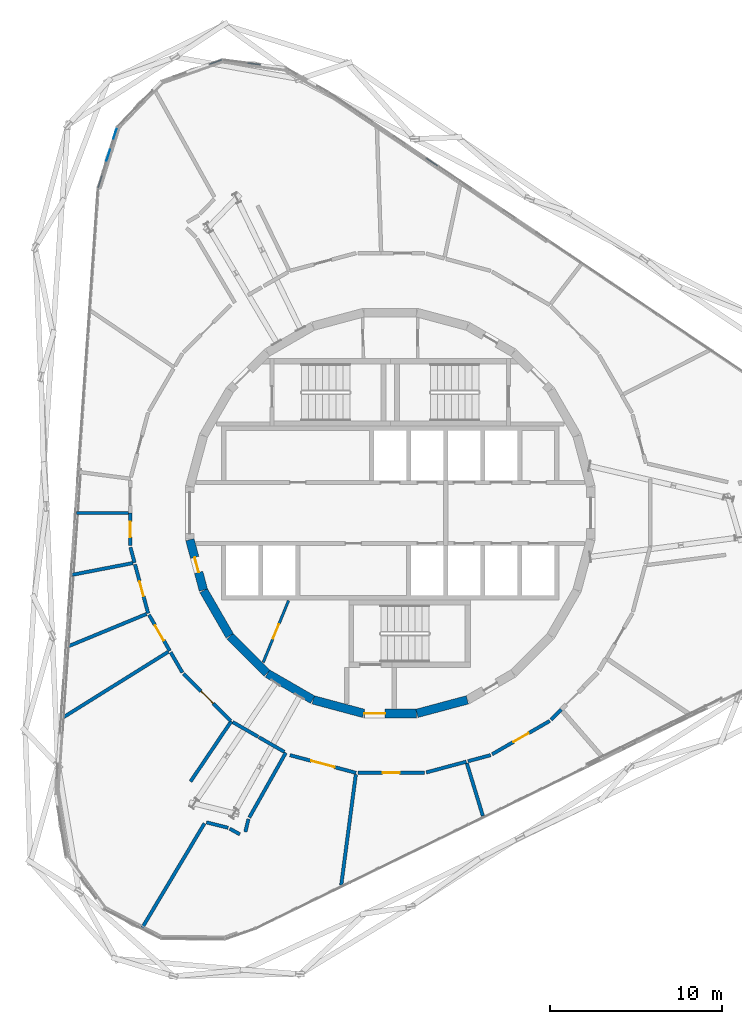
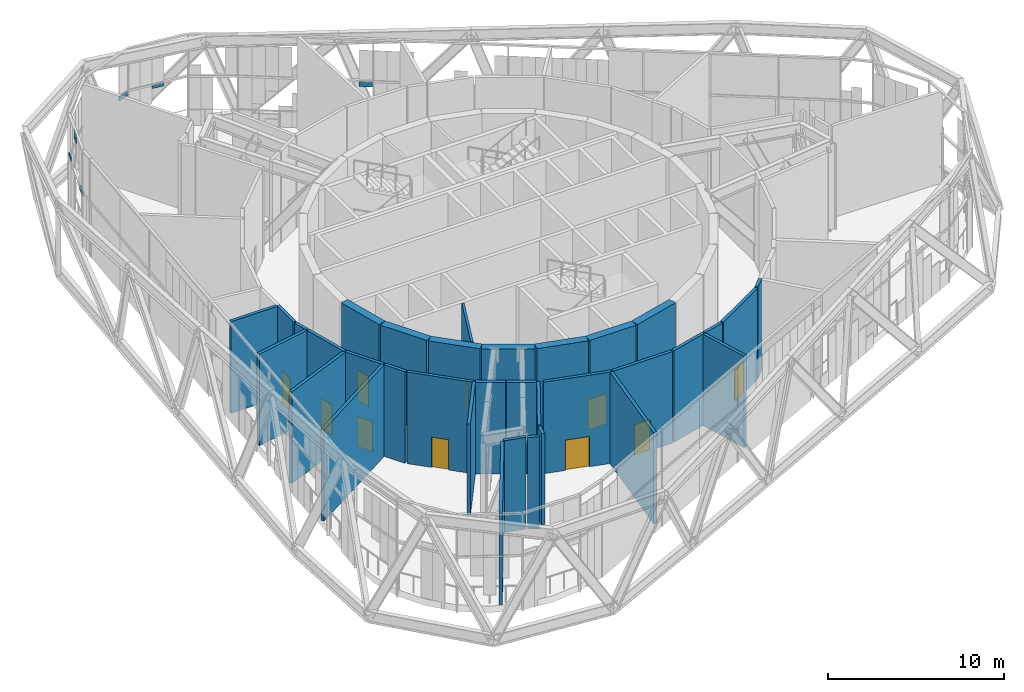
# One storey, part 18 of 24: 34 walls, 10 doors, 6 plates, 10 openings, 2 elements without a shape of their own.
"""IFC4 building model written with IfcOpenShell, lengths in metres."""

import ifcopenshell
import ifcopenshell.guid

model = None  # the IFC model being written
_history = None  # IfcOwnerHistory: only IFC2X3 demands one
_inside = {}  # id of a spatial element -> (the spatial element, [elements in it])
_under = {}  # id of a project, library or spatial element -> (it, [spatial elements below it])
_declared = {}  # id of a project -> (the project, [libraries it declares])
_typed = {}  # id of a type object -> (the type object, [elements of that type])
_made_of = {}  # id of a material, layer set ... -> (it, [elements and type objects made of it])


def new_model(schema):
    """Start an empty IFC model of exactly this schema.

    Asked for "IFC4X3", IfcOpenShell would pick the latest addendum, in which some entities
    have other attributes; the version numbers below select the first issue.
    IFC2X3 requires an IfcOwnerHistory on every rooted entity: one is made here for all.
    """
    global model, _history
    if schema == "IFC4X3":
        model = ifcopenshell.file(schema_version=(4, 3, 0, 0))
    else:
        model = ifcopenshell.file(schema=schema)
    _inside.clear()
    _under.clear()
    _declared.clear()
    _typed.clear()
    _made_of.clear()
    _history = None
    if model.schema == "IFC2X3":
        org = make("IfcOrganization", Name="unknown")
        user = make(
            "IfcPersonAndOrganization",
            ThePerson=make("IfcPerson", FamilyName="unknown"),
            TheOrganization=org,
        )
        app = make(
            "IfcApplication",
            ApplicationDeveloper=org,
            Version="unknown",
            ApplicationFullName="unknown",
            ApplicationIdentifier="unknown",
        )
        _history = make(
            "IfcOwnerHistory",
            OwningUser=user,
            OwningApplication=app,
            ChangeAction="ADDED",
            CreationDate=0,
        )
    return model


def make(cls, **values):
    """One entity of the class cls with the attributes given. An attribute that is None is left unset."""
    return model.create_entity(
        cls, **{name: value for name, value in values.items() if value is not None}
    )


def rooted(cls, **values):
    """An entity with a GlobalId (a new one), such as an element, a storey or a relation."""
    return make(cls, GlobalId=ifcopenshell.guid.new(), OwnerHistory=_history, **values)


def si_unit(unit_type, name, prefix=None):
    """IfcSIUnit, for example si_unit("LENGTHUNIT", "METRE", prefix="MILLI")."""
    return make("IfcSIUnit", UnitType=unit_type, Prefix=prefix, Name=name)


def assignment(units):
    """IfcUnitAssignment: the units of a project."""
    return None if units is None else make("IfcUnitAssignment", Units=units)


def point(xyz):
    """IfcCartesianPoint."""
    return None if xyz is None else make("IfcCartesianPoint", Coordinates=xyz)


def direction(xyz):
    """IfcDirection."""
    return None if xyz is None else make("IfcDirection", DirectionRatios=xyz)


def frame(location, z_axis=None, x_axis=None):
    """IfcAxis2Placement3D, a coordinate frame: its origin and axes. An axis left out is left unset."""
    return make(
        "IfcAxis2Placement3D",
        Location=point(location),
        Axis=direction(z_axis),
        RefDirection=direction(x_axis),
    )


def frame_2d(location, x_axis=None):
    """IfcAxis2Placement2D, a coordinate frame in the plane: its origin and x axis."""
    return make(
        "IfcAxis2Placement2D", Location=point(location), RefDirection=direction(x_axis)
    )


def origin():
    """The frame at (0, 0, 0) with its axes left unset."""
    return frame((0.0, 0.0, 0.0))


def origin_2d():
    """The frame at (0, 0) in the plane with its x axis left unset."""
    return frame_2d((0.0, 0.0))


def place(relative_to, where):
    """IfcLocalPlacement: puts the frame where relative to a parent placement (None: the world)."""
    return make(
        "IfcLocalPlacement", PlacementRelTo=relative_to, RelativePlacement=where
    )


def context(
    kind, dimensions, precision=None, world=None, true_north=None, identifier=None
):
    """IfcGeometricRepresentationContext, for example the 3D "Model" context."""
    return make(
        "IfcGeometricRepresentationContext",
        ContextIdentifier=identifier,
        ContextType=kind,
        CoordinateSpaceDimension=dimensions,
        Precision=precision,
        WorldCoordinateSystem=world,
        TrueNorth=true_north,
    )


def subcontext(parent, identifier, kind, view, scale=None):
    """IfcGeometricRepresentationSubContext, for example "Body" below "Model"."""
    return make(
        "IfcGeometricRepresentationSubContext",
        ContextIdentifier=identifier,
        ContextType=kind,
        ParentContext=parent,
        TargetScale=scale,
        TargetView=view,
    )


def project(units=None, contexts=None):
    """IfcProject with its units and contexts."""
    return rooted(
        "IfcProject",
        Name="project",
        RepresentationContexts=contexts,
        UnitsInContext=assignment(units),
    )


def spatial(cls, under=None, at=None, **own):
    """A site, building, storey or space (cls), placed at a placement, below another one or the project."""
    s = rooted(cls, ObjectPlacement=at, **own)
    if under is not None:
        _under.setdefault(under.id(), (under, []))[1].append(s)
    return s


def profile(cls, at=None, kind="AREA", **sizes):
    """A parametric profile (cls). Its sizes go by their IFC names, for example OverallWidth=200.0."""
    return make(cls, ProfileType=kind, Position=at, **sizes)


def rectangle(**sizes):
    """IfcRectangleProfileDef."""
    return profile("IfcRectangleProfileDef", **sizes)


def extrude(swept, where, along, depth):
    """IfcExtrudedAreaSolid: the profile swept, set in the frame where, extruded along a direction by depth."""
    return make(
        "IfcExtrudedAreaSolid",
        SweptArea=swept,
        Position=where,
        ExtrudedDirection=direction(along),
        Depth=depth,
    )


def shape(context_of_items, identifier, shape_type, items):
    """IfcShapeRepresentation: the items that make up one representation, for example the "Body"."""
    return make(
        "IfcShapeRepresentation",
        ContextOfItems=context_of_items,
        RepresentationIdentifier=identifier,
        RepresentationType=shape_type,
        Items=items,
    )


def material(Name=None, Category=None):
    """IfcMaterial."""
    return make("IfcMaterial", Name=Name, Category=Category)


def layer(
    of_material, thickness, ventilated=None, Name=None, Category=None, Priority=None
):
    """IfcMaterialLayer: one layer of a wall or slab, of a material (None: an air gap)."""
    return make(
        "IfcMaterialLayer",
        Material=of_material,
        LayerThickness=thickness,
        IsVentilated=ventilated,
        Name=Name,
        Category=Category,
        Priority=Priority,
    )


def layer_set(layers, Name=None):
    """IfcMaterialLayerSet."""
    return make("IfcMaterialLayerSet", MaterialLayers=layers, LayerSetName=Name)


def made_of(thing, what):
    """Note that an element or type object is made of a material, layer set ...; save() writes the relation."""
    if what is not None:
        _made_of.setdefault(what.id(), (what, []))[1].append(thing)
    return thing


def type_object(cls, material=None, **own):
    """A type object (cls), such as IfcWallType, which elements share."""
    return made_of(rooted(cls, **own), material)


def element(
    cls,
    number,
    at=None,
    inside=None,
    cuts=None,
    type_object=None,
    material=None,
    context=None,
    identifier="Body",
    shape_type=None,
    held_by="IfcProductDefinitionShape",
    body=None,
    shapes=None,
    **own,
):
    """One element of the class cls, such as IfcWall. Its Tag is "e" and its number.

    at: its placement. inside: the storey or other place that contains it. cuts: it is an
    opening in that element (IfcRelVoidsElement). A single representation is given by context,
    identifier, shape_type and body (its items); several are given by shapes. held_by: the class
    of the entity that holds the representations. save() writes the other relations.
    """
    e = rooted(cls, Tag="e%d" % number, ObjectPlacement=at, **own)
    if body is not None:
        shapes = [shape(context, identifier, shape_type, body)]
    if shapes is not None:
        e.Representation = make(held_by, Representations=shapes)
    if inside is not None:
        _inside.setdefault(inside.id(), (inside, []))[1].append(e)
    if cuts is not None:
        rooted(
            "IfcRelVoidsElement", RelatingBuildingElement=cuts, RelatedOpeningElement=e
        )
    if type_object is not None:
        _typed.setdefault(type_object.id(), (type_object, []))[1].append(e)
    return made_of(e, material)


def fill(opening, filler):
    """IfcRelFillsElement: the door or window that sits in an opening."""
    return rooted(
        "IfcRelFillsElement",
        RelatingOpeningElement=opening,
        RelatedBuildingElement=filler,
    )


def aggregate(whole, parts):
    """IfcRelAggregates: a whole, such as a stair, and the parts it consists of."""
    return rooted("IfcRelAggregates", RelatingObject=whole, RelatedObjects=parts)


def save(model, path):
    """Write the relations noted so far, then the file.

    IfcRelAggregates (storeys below a building ...), IfcRelContainedInSpatialStructure (elements
    in a storey), IfcRelDefinesByType, IfcRelAssociatesMaterial and IfcRelDeclares: one each for
    every whole, place, type object, material and project.
    """
    for whole, parts in _under.values():
        aggregate(whole, parts)
    for where, things in _inside.values():
        rooted(
            "IfcRelContainedInSpatialStructure",
            RelatedElements=things,
            RelatingStructure=where,
        )
    for kind, things in _typed.values():
        rooted("IfcRelDefinesByType", RelatedObjects=things, RelatingType=kind)
    for what, things in _made_of.values():
        rooted("IfcRelAssociatesMaterial", RelatedObjects=things, RelatingMaterial=what)
    for by, libraries in _declared.values():
        rooted("IfcRelDeclares", RelatingContext=by, RelatedDefinitions=libraries)
    model.write(path)


model = new_model("IFC4")

# Units and contexts
model_context = context("Model", 3, precision=1e-05, world=origin(), true_north=direction((0.0, 1.0)))
body_context = subcontext(model_context, "Body", "Model", "MODEL_VIEW")
ifc_project = project(units=[si_unit("LENGTHUNIT", "METRE"), si_unit("AREAUNIT", "SQUARE_METRE"), si_unit("VOLUMEUNIT", "CUBIC_METRE"), si_unit("PLANEANGLEUNIT", "RADIAN"), si_unit("MASSUNIT", "GRAM", prefix="KILO")], contexts=[model_context])

# Site, building, storey
site_placement = place(None, origin())
site = spatial("IfcSite", under=ifc_project, at=site_placement, CompositionType="ELEMENT")
building_placement = place(site_placement, origin())
building = spatial("IfcBuilding", under=site, at=building_placement, Name="Spindle Arch Residences", CompositionType="ELEMENT")
storey_placement = place(building_placement, frame((0.0, 0.0, 219.89990234375)))
storey = spatial("IfcBuildingStorey", under=building, at=storey_placement, Name="L56", CompositionType="ELEMENT", Elevation=219.89990234375)

# Curtain wall, plates
ifc_material_1 = material(Name="Aluminium bronze unitised frame with tinted glass", Category="aluminium")
ifc_layer_1 = layer(ifc_material_1, 0.159912109375)
ifc_layer_set_1 = layer_set([ifc_layer_1], Name="CW-E double-height winter garden wall")
curtain_wall_type = type_object("IfcCurtainWallType", Name="CW-E double-height winter garden wall", PredefinedType="NOTDEFINED", material=ifc_layer_set_1)
curtain_wall_1_placement = place(storey_placement, origin())
curtain_wall_1 = element("IfcCurtainWall", 1, at=curtain_wall_1_placement, inside=storey, type_object=curtain_wall_type, Name="CW-E L56 run 3", PredefinedType="NOTDEFINED")
ifc_material_2 = material(Name="Tinted laminated glass 28 mm", Category="glass")
ifc_layer_2 = layer(ifc_material_2, 0.028076171875)
ifc_layer_set_2 = layer_set([ifc_layer_2], Name="Tinted glass panel 28 mm")
plate_type_1 = type_object("IfcPlateType", Name="Tinted glass panel 28 mm", PredefinedType="CURTAIN_PANEL", material=ifc_layer_set_2)
plate_1_placement = place(storey_placement, frame((-15.9853515625, 22.071044921875, 3.4599609375), z_axis=(0.0, 0.0, 1.0), x_axis=(-0.297930275218, -0.954587634064, 0.0)))
plate_1 = element("IfcPlate", 2, at=plate_1_placement, type_object=plate_type_1, Name="CW-E panel 04b.1", PredefinedType="CURTAIN_PANEL", context=body_context, shape_type="SweptSolid", body=[
    extrude(rectangle(XDim=0.675048828125, YDim=0.028076171875, at=origin_2d()), origin(), (0.0, 0.0, 1.0), 0.15771484375),
])
plate_2_placement = place(storey_placement, frame((-16.3876953125, 20.7822265625, 5.547119140625), z_axis=(0.0, 0.0, 1.0), x_axis=(-0.297930275218, -0.954587634064, 0.0)))
plate_2 = element("IfcPlate", 3, at=plate_2_placement, type_object=plate_type_1, Name="CW-E panel 04b.3", PredefinedType="CURTAIN_PANEL", context=body_context, shape_type="SweptSolid", body=[
    extrude(rectangle(XDim=0.675048828125, YDim=0.028076171875, at=origin_2d()), origin(), (0.0, 0.0, 1.0), 0.68310546875),
])

# Curtain wall, plate
curtain_wall_2_placement = place(storey_placement, origin())
curtain_wall_2 = element("IfcCurtainWall", 4, at=curtain_wall_2_placement, inside=storey, type_object=curtain_wall_type, Name="CW-E L56 run 2", PredefinedType="NOTDEFINED")
ifc_material_3 = material(Name="Tinted double glazing over aluminium faced non-combustible spandrel zone (K0)", Category="aluminium")
ifc_layer_3 = layer(ifc_material_3, 0.06005859375)
ifc_layer_set_3 = layer_set([ifc_layer_3], Name="Unitised glass panel with E 60 spandrel zone")
plate_type_2 = type_object("IfcPlateType", Name="Unitised glass panel with E 60 spandrel zone", PredefinedType="CURTAIN_PANEL", material=ifc_layer_set_3)
plate_3_placement = place(storey_placement, frame((2.428466796875, 20.388427734375, 2.99267578125), z_axis=(0.0, 0.0, 1.0), x_axis=(-0.829037572555, 0.559192903471, 0.0)))
plate_3 = element("IfcPlate", 5, at=plate_3_placement, type_object=plate_type_2, Name="CW-E panel 08Aa.1", PredefinedType="CURTAIN_PANEL", context=body_context, shape_type="SweptSolid", body=[
    extrude(rectangle(XDim=0.763427734375, YDim=0.06005859375, at=origin_2d()), origin(), (0.0, 0.0, 1.0), 0.347412109375),
])
aggregate(curtain_wall_2, [plate_3])

# Plate
plate_4_placement = place(storey_placement, frame((-7.92236328125, 26.0986328125, 3.1201171875), z_axis=(0.0, 0.0, 1.0), x_axis=(-0.991820351023, 0.127641651888, 0.0)))
plate_4 = element("IfcPlate", 6, at=plate_4_placement, type_object=plate_type_2, Name="CW-E panel 01a.1", PredefinedType="CURTAIN_PANEL", context=body_context, shape_type="SweptSolid", body=[
    extrude(rectangle(XDim=0.7333984375, YDim=0.06005859375, at=origin_2d()), origin(), (0.0, 0.0, 1.0), 0.219970703125),
])

plate_5_placement = place(storey_placement, frame((-10.144775390625, 26.205322265625, 3.05322265625), z_axis=(0.0, 0.0, 1.0), x_axis=(-0.943608508302, -0.331063412445, 0.0)))
plate_5 = element("IfcPlate", 7, at=plate_5_placement, type_object=plate_type_2, Name="CW-E panel 02a.1", PredefinedType="CURTAIN_PANEL", context=body_context, shape_type="SweptSolid", body=[
    extrude(rectangle(XDim=0.7333984375, YDim=0.06005859375, at=origin_2d()), origin(), (0.0, 0.0, 1.0), 0.286865234375),
])

plate_6_placement = place(storey_placement, frame((-16.867919921875, 19.2431640625, 3.10009765625), z_axis=(0.0, 0.0, 1.0), x_axis=(-0.297930275218, -0.954587634064, 0.0)))
plate_6 = element("IfcPlate", 8, at=plate_6_placement, type_object=plate_type_2, Name="CW-E panel 04a.3", PredefinedType="CURTAIN_PANEL", context=body_context, shape_type="SweptSolid", body=[
    extrude(rectangle(XDim=0.7333984375, YDim=0.06005859375, at=origin_2d()), origin(), (0.0, 0.0, 1.0), 0.239990234375),
])

aggregate(curtain_wall_1, [plate_4, plate_5, plate_6, plate_1, plate_2])

# Wall
ifc_material_4 = material(Name="Concrete C50/60", Category="concrete")
ifc_layer_4 = layer(ifc_material_4, 0.5)
ifc_layer_set_4 = layer_set([ifc_layer_4], Name="Core outline wall 500")
wall_type_1 = type_object("IfcWallType", Name="Core outline wall 500", PredefinedType="SHEAR", material=ifc_layer_set_4)
wall_1_placement = place(storey_placement, frame((1.5498046875, -11.642822265625, 0.0), z_axis=(0.0, 0.0, 1.0), x_axis=(0.965948410781, 0.258734743916, 0.0)))
element("IfcWall", 9, at=wall_1_placement, inside=storey, type_object=wall_type_1, Name="Core outline wall 1", PredefinedType="SHEAR", context=body_context, shape_type="SweptSolid", body=[
    extrude(rectangle(XDim=3.03271484375, YDim=0.5, at=frame_2d((1.516357421875, 0.0))), origin(), (0.0, 0.0, 1.0), 6.35009765625),
])

# Wall, opening, door
wall_2_placement = place(storey_placement, frame((-11.642822265625, -1.5498046875, 0.0), z_axis=(0.0, 0.0, 1.0), x_axis=(0.258734743916, -0.965948410781, 0.0)))
wall_2 = element("IfcWall", 10, at=wall_2_placement, inside=storey, type_object=wall_type_1, Name="Core outline wall 19", PredefinedType="SHEAR", context=body_context, shape_type="SweptSolid", body=[
    extrude(rectangle(XDim=3.03271484375, YDim=0.5, at=frame_2d((1.516357421875, 0.0))), origin(), (0.0, 0.0, 1.0), 6.35009765625),
])
opening_1_placement = place(wall_2_placement, frame((1.06640625, 0.0, 0.0)))
opening_1 = element("IfcOpeningElement", 11, at=opening_1_placement, cuts=wall_2, Name="Opening L56-WD08", PredefinedType="OPENING", context=body_context, shape_type="SweptSolid", body=[
    extrude(rectangle(XDim=0.89990234375, YDim=2.10009765625, at=frame_2d((0.449951171875, 1.050048828125))), frame((0.0, 0.260009765625, 0.0), z_axis=(0.0, -1.0, 0.0), x_axis=(1.0, 0.0, 0.0)), (0.0, 0.0, 1.0), 0.52001953125),
])
ifc_material_5 = material(Name="Steel, fire-resisting door", Category="steel")
door_type_1 = type_object("IfcDoorType", Name="Service room door 900x2100", OperationType="SINGLE_SWING_LEFT", PredefinedType="DOOR", material=ifc_material_5)
door_1_placement = place(opening_1_placement, origin())
door_1 = element("IfcDoor", 12, at=door_1_placement, inside=storey, type_object=door_type_1, Name="Service room door L56-WD08", OperationType="SINGLE_SWING_RIGHT", OverallHeight=2.10009765625, OverallWidth=0.89990234375, PredefinedType="DOOR", context=body_context, shape_type="SweptSolid", body=[
    extrude(rectangle(XDim=0.89990234375, YDim=2.10009765625, at=frame_2d((0.449951171875, 1.050048828125))), frame((0.0, 0.02490234375, 0.0), z_axis=(0.0, -1.0, 0.0), x_axis=(1.0, 0.0, 0.0)), (0.0, 0.0, 1.0), 0.050048828125),
])
fill(opening_1, door_1)

# Walls
wall_3_placement = place(storey_placement, frame((-10.84521484375, -4.510498046875, 0.0), z_axis=(0.0, 0.0, 1.0), x_axis=(0.500087131594, -0.865975092491, 0.0)))
element("IfcWall", 13, at=wall_3_placement, inside=storey, type_object=wall_type_1, Name="Core outline wall 20", PredefinedType="SHEAR", context=body_context, shape_type="SweptSolid", body=[
    extrude(rectangle(XDim=3.03271484375, YDim=0.5, at=frame_2d((1.516357421875, 0.0))), origin(), (0.0, 0.0, 1.0), 6.35009765625),
])
wall_4_placement = place(storey_placement, frame((-9.30810546875, -7.163818359375, 0.0), z_axis=(0.0, 0.0, 1.0), x_axis=(0.707106781187, -0.707106781187, 0.0)))
element("IfcWall", 14, at=wall_4_placement, inside=storey, type_object=wall_type_1, Name="Core outline wall 21", PredefinedType="SHEAR", context=body_context, shape_type="SweptSolid", body=[
    extrude(rectangle(XDim=3.032470703125, YDim=0.5, at=frame_2d((1.51611328125, 0.0))), origin(), (0.0, 0.0, 1.0), 6.35009765625),
])
for number, where, z_axis, x_axis, name in (
    (15, (-7.13671875, -9.32861328125, 0.0), (0.0, 0.0, 1.0), (0.865975092491, -0.500087131594, 0.0), "Core outline wall 22"),
    (16, (-4.479248046875, -10.858154296875, 0.0), (0.0, 0.0, 1.0), (0.965948410781, -0.258734743916, 0.0), "Core outline wall 23"),
):
    element("IfcWall", number, at=place(storey_placement, frame(where, z_axis=z_axis, x_axis=x_axis)), inside=storey, type_object=wall_type_1, Name=name, PredefinedType="SHEAR", context=body_context, shape_type="SweptSolid", body=[
        extrude(rectangle(XDim=3.03271484375, YDim=0.5, at=frame_2d((1.516357421875, 0.0))), origin(), (0.0, 0.0, 1.0), 6.35009765625),
    ])

# Wall, opening, door
wall_5_placement = place(storey_placement, frame((-1.516357421875, -11.647216796875, 0.0), z_axis=(0.0, 0.0, 1.0), x_axis=(1.0, 0.0, 0.0)))
wall_5 = element("IfcWall", 17, at=wall_5_placement, inside=storey, type_object=wall_type_1, Name="Core outline wall 24", PredefinedType="SHEAR", context=body_context, shape_type="SweptSolid", body=[
    extrude(rectangle(XDim=3.03271484375, YDim=0.5, at=frame_2d((1.516357421875, 0.0))), origin(), (0.0, 0.0, 1.0), 6.35009765625),
])
opening_2_placement = place(wall_5_placement, frame((0.016357421875, 0.0, 0.0)))
opening_2 = element("IfcOpeningElement", 18, at=opening_2_placement, cuts=wall_5, Name="Opening L56-AD03", PredefinedType="OPENING", context=body_context, shape_type="SweptSolid", body=[
    extrude(rectangle(XDim=1.199951171875, YDim=2.10009765625, at=frame_2d((0.60009765625, 1.050048828125))), frame((0.0, 0.260009765625, 0.0), z_axis=(0.0, -1.0, 0.0), x_axis=(1.0, 0.0, 0.0)), (0.0, 0.0, 1.0), 0.52001953125),
])
ifc_material_6 = material(Name="Steel, fire-resisting door", Category="steel")
door_type_2 = type_object("IfcDoorType", Name="Stair airlock door 1200x2100", OperationType="SINGLE_SWING_LEFT", PredefinedType="DOOR", material=ifc_material_6)
door_2_placement = place(opening_2_placement, origin())
door_2 = element("IfcDoor", 19, at=door_2_placement, inside=storey, type_object=door_type_2, Name="Stair airlock door L56-AD03", OperationType="SINGLE_SWING_RIGHT", OverallHeight=2.10009765625, OverallWidth=1.199951171875, PredefinedType="DOOR", context=body_context, shape_type="SweptSolid", body=[
    extrude(rectangle(XDim=1.199951171875, YDim=2.10009765625, at=frame_2d((0.60009765625, 1.050048828125))), frame((0.0, 0.02490234375, 0.0), z_axis=(0.0, -1.0, 0.0), x_axis=(1.0, 0.0, 0.0)), (0.0, 0.0, 1.0), 0.050048828125),
])
fill(opening_2, door_2)

# Walls
ifc_material_7 = material(Name="Gypsum board partition on steel studs", Category="steel")
ifc_layer_5 = layer(ifc_material_7, 0.199951171875)
ifc_layer_set_5 = layer_set([ifc_layer_5], Name="Partition EI 60 200 amenity")
wall_type_2 = type_object("IfcWallType", Name="Partition EI 60 200 amenity", PredefinedType="PARTITIONING", material=ifc_layer_set_5)
wall_6_placement = place(storey_placement, frame((-15.10009765625, -1.989990234375, 0.0), z_axis=(0.0, 0.0, 1.0), x_axis=(0.257678965997, -0.966230588671, 0.0)))
element("IfcWall", 20, at=wall_6_placement, inside=storey, type_object=wall_type_2, Name="L56-W001", PredefinedType="PARTITIONING", context=body_context, shape_type="SweptSolid", body=[
    extrude(rectangle(XDim=0.931396484375, YDim=0.199951171875, at=frame_2d((0.4658203125, 0.0))), origin(), (0.0, 0.0, 1.0), 6.35009765625),
])
wall_7_placement = place(storey_placement, frame((-15.199951171875, 0.0, 0.0), z_axis=(0.0, 0.0, 1.0), x_axis=(-1.0, 0.0, 0.0)))
element("IfcWall", 21, at=wall_7_placement, inside=storey, type_object=wall_type_2, Name="L56-W002", PredefinedType="PARTITIONING", context=body_context, shape_type="SweptSolid", body=[
    extrude(rectangle(XDim=3.030029296875, YDim=0.199951171875, at=frame_2d((1.51513671875, 0.0))), origin(), (0.0, 0.0, 1.0), 6.35009765625),
])

# Wall, opening, door
wall_8_placement = place(storey_placement, frame((-15.10009765625, 0.0, 0.0), z_axis=(0.0, 0.0, 1.0), x_axis=(0.0, -1.0, 0.0)))
wall_8 = element("IfcWall", 22, at=wall_8_placement, inside=storey, type_object=wall_type_2, Name="L56-W003", PredefinedType="PARTITIONING", context=body_context, shape_type="SweptSolid", body=[
    extrude(rectangle(XDim=1.889892578125, YDim=0.199951171875, at=frame_2d((0.94482421875, 0.0))), origin(), (0.0, 0.0, 1.0), 6.35009765625),
])
opening_3_placement = place(wall_8_placement, frame((0.4951171875, 0.0, 0.0)))
opening_3 = element("IfcOpeningElement", 23, at=opening_3_placement, cuts=wall_8, Name="Opening L56-D09", PredefinedType="OPENING", context=body_context, shape_type="SweptSolid", body=[
    extrude(rectangle(XDim=0.89990234375, YDim=2.10009765625, at=frame_2d((0.449951171875, 1.050048828125))), frame((0.0, 0.10986328125, 0.0), z_axis=(0.0, -1.0, 0.0), x_axis=(1.0, 0.0, 0.0)), (0.0, 0.0, 1.0), 0.219970703125),
])
ifc_material_8 = material(Name="Timber door leaf", Category="wood")
door_type_3 = type_object("IfcDoorType", Name="Door 900x2100 EI 30", OperationType="SINGLE_SWING_LEFT", PredefinedType="DOOR", material=ifc_material_8)
door_3_placement = place(opening_3_placement, origin())
door_3 = element("IfcDoor", 24, at=door_3_placement, inside=storey, type_object=door_type_3, Name="L56-D09", OperationType="SINGLE_SWING_LEFT", OverallHeight=2.10009765625, OverallWidth=0.89990234375, PredefinedType="DOOR", context=body_context, shape_type="SweptSolid", body=[
    extrude(rectangle(XDim=0.89990234375, YDim=2.10009765625, at=frame_2d((0.449951171875, 1.050048828125))), frame((0.0, 0.02490234375, 0.0), z_axis=(0.0, -1.0, 0.0), x_axis=(1.0, 0.0, 0.0)), (0.0, 0.0, 1.0), 0.050048828125),
])
fill(opening_3, door_3)

# Wall
wall_9_placement = place(storey_placement, frame((-14.958251953125, -2.908935546875, 0.0), z_axis=(0.0, 0.0, 1.0), x_axis=(-0.981804418679, -0.189894927426, 0.0)))
element("IfcWall", 25, at=wall_9_placement, inside=storey, type_object=wall_type_2, Name="L56-W006", PredefinedType="PARTITIONING", context=body_context, shape_type="SweptSolid", body=[
    extrude(rectangle(XDim=3.5869140625, YDim=0.199951171875, at=frame_2d((1.79345703125, 0.0))), origin(), (0.0, 0.0, 1.0), 6.35009765625),
])

# Wall, opening, door
wall_10_placement = place(storey_placement, frame((-14.833984375, -2.986572265625, 0.0), z_axis=(0.0, 0.0, 1.0), x_axis=(0.259453048497, -0.965755722544, 0.0)))
wall_10 = element("IfcWall", 26, at=wall_10_placement, inside=storey, type_object=wall_type_2, Name="L56-W007", PredefinedType="PARTITIONING", context=body_context, shape_type="SweptSolid", body=[
    extrude(rectangle(XDim=2.9443359375, YDim=0.199951171875, at=frame_2d((1.47216796875, 0.0))), origin(), (0.0, 0.0, 1.0), 6.35009765625),
])
opening_4_placement = place(wall_10_placement, frame((1.022216796875, 0.0, 0.0)))
opening_4 = element("IfcOpeningElement", 27, at=opening_4_placement, cuts=wall_10, Name="Opening L56-D08", PredefinedType="OPENING", context=body_context, shape_type="SweptSolid", body=[
    extrude(rectangle(XDim=0.89990234375, YDim=2.10009765625, at=frame_2d((0.449951171875, 1.050048828125))), frame((0.0, 0.10986328125, 0.0), z_axis=(0.0, -1.0, 0.0), x_axis=(1.0, 0.0, 0.0)), (0.0, 0.0, 1.0), 0.219970703125),
])
door_4_placement = place(opening_4_placement, origin())
door_4 = element("IfcDoor", 28, at=door_4_placement, inside=storey, type_object=door_type_3, Name="L56-D08", OperationType="SINGLE_SWING_LEFT", OverallHeight=2.10009765625, OverallWidth=0.89990234375, PredefinedType="DOOR", context=body_context, shape_type="SweptSolid", body=[
    extrude(rectangle(XDim=0.89990234375, YDim=2.10009765625, at=frame_2d((0.449951171875, 1.050048828125))), frame((0.0, 0.02490234375, 0.0), z_axis=(0.0, -1.0, 0.0), x_axis=(1.0, 0.0, 0.0)), (0.0, 0.0, 1.0), 0.050048828125),
])
fill(opening_4, door_4)

# Wall
wall_11_placement = place(storey_placement, frame((-14.162353515625, -5.8681640625, 0.0), z_axis=(0.0, 0.0, 1.0), x_axis=(-0.924354193641, -0.381535482883, 0.0)))
element("IfcWall", 29, at=wall_11_placement, inside=storey, type_object=wall_type_2, Name="L56-W008", PredefinedType="PARTITIONING", context=body_context, shape_type="SweptSolid", body=[
    extrude(rectangle(XDim=4.984619140625, YDim=0.199951171875, at=frame_2d((2.4921875, 0.0))), origin(), (0.0, 0.0, 1.0), 6.35009765625),
])

# Wall, opening, door
wall_12_placement = place(storey_placement, frame((-14.02001953125, -5.91650390625, 0.0), z_axis=(0.0, 0.0, 1.0), x_axis=(0.500395345151, -0.865797030805, 0.0)))
wall_12 = element("IfcWall", 30, at=wall_12_placement, inside=storey, type_object=wall_type_2, Name="L56-W009", PredefinedType="PARTITIONING", context=body_context, shape_type="SweptSolid", body=[
    extrude(rectangle(XDim=2.41796875, YDim=0.199951171875, at=frame_2d((1.208984375, 0.0))), origin(), (0.0, 0.0, 1.0), 6.35009765625),
])
opening_5_placement = place(wall_12_placement, frame((0.708984375, 0.0, 0.0)))
opening_5 = element("IfcOpeningElement", 31, at=opening_5_placement, cuts=wall_12, Name="Opening L56-D06", PredefinedType="OPENING", context=body_context, shape_type="SweptSolid", body=[
    extrude(rectangle(XDim=1.0, YDim=2.10009765625, at=frame_2d((0.5, 1.050048828125))), frame((0.0, 0.10986328125, 0.0), z_axis=(0.0, -1.0, 0.0), x_axis=(1.0, 0.0, 0.0)), (0.0, 0.0, 1.0), 0.219970703125),
])
ifc_material_9 = material(Name="Timber door leaf", Category="wood")
door_type_4 = type_object("IfcDoorType", Name="Door 1000x2100 EI 30", OperationType="SINGLE_SWING_LEFT", PredefinedType="DOOR", material=ifc_material_9)
door_5_placement = place(opening_5_placement, origin())
door_5 = element("IfcDoor", 32, at=door_5_placement, inside=storey, type_object=door_type_4, Name="L56-D06", OperationType="SINGLE_SWING_LEFT", OverallHeight=2.10009765625, OverallWidth=1.0, PredefinedType="DOOR", context=body_context, shape_type="SweptSolid", body=[
    extrude(rectangle(XDim=1.0, YDim=2.10009765625, at=frame_2d((0.5, 1.050048828125))), frame((0.0, 0.02490234375, 0.0), z_axis=(0.0, -1.0, 0.0), x_axis=(1.0, 0.0, 0.0)), (0.0, 0.0, 1.0), 0.050048828125),
])
fill(opening_5, door_5)

# Walls
wall_13_placement = place(storey_placement, frame((-12.894775390625, -8.06298828125, 0.0), z_axis=(0.0, 0.0, 1.0), x_axis=(-0.848392535646, -0.529367646782, 0.0)))
element("IfcWall", 33, at=wall_13_placement, inside=storey, type_object=wall_type_2, Name="L56-W011", PredefinedType="PARTITIONING", context=body_context, shape_type="SweptSolid", body=[
    extrude(rectangle(XDim=7.26708984375, YDim=0.199951171875, at=frame_2d((3.633544921875, 0.0))), origin(), (0.0, 0.0, 1.0), 6.35009765625),
])
wall_14_placement = place(storey_placement, frame((-12.759765625, -8.096435546875, 0.0), z_axis=(0.0, 0.0, 1.0), x_axis=(0.501171091484, -0.865348217229, 0.0)))
element("IfcWall", 34, at=wall_14_placement, inside=storey, type_object=wall_type_2, Name="L56-W012", PredefinedType="PARTITIONING", context=body_context, shape_type="SweptSolid", body=[
    extrude(rectangle(XDim=1.356201171875, YDim=0.199951171875, at=frame_2d((0.67822265625, 0.0))), origin(), (0.0, 0.0, 1.0), 6.35009765625),
])

# Wall, opening, door
wall_15_placement = place(storey_placement, frame((-12.00927734375, -9.3408203125, 0.0), z_axis=(0.0, 0.0, 1.0), x_axis=(0.707106781187, -0.707106781187, 0.0)))
wall_15 = element("IfcWall", 35, at=wall_15_placement, inside=storey, type_object=wall_type_2, Name="L56-W015", PredefinedType="PARTITIONING", context=body_context, shape_type="SweptSolid", body=[
    extrude(rectangle(XDim=3.873779296875, YDim=0.199951171875, at=frame_2d((1.93701171875, 0.0))), origin(), (0.0, 0.0, 1.0), 6.35009765625),
])
opening_6_placement = place(wall_15_placement, frame((1.43701171875, 0.0, 0.0)))
opening_6 = element("IfcOpeningElement", 36, at=opening_6_placement, cuts=wall_15, Name="Opening L56-D03", PredefinedType="OPENING", context=body_context, shape_type="SweptSolid", body=[
    extrude(rectangle(XDim=1.0, YDim=2.10009765625, at=frame_2d((0.5, 1.050048828125))), frame((0.0, 0.10986328125, 0.0), z_axis=(0.0, -1.0, 0.0), x_axis=(1.0, 0.0, 0.0)), (0.0, 0.0, 1.0), 0.219970703125),
])
door_6_placement = place(opening_6_placement, origin())
door_6 = element("IfcDoor", 37, at=door_6_placement, inside=storey, type_object=door_type_4, Name="L56-D03", OperationType="SINGLE_SWING_LEFT", OverallHeight=2.10009765625, OverallWidth=1.0, PredefinedType="DOOR", context=body_context, shape_type="SweptSolid", body=[
    extrude(rectangle(XDim=1.0, YDim=2.10009765625, at=frame_2d((0.5, 1.050048828125))), frame((0.0, 0.02490234375, 0.0), z_axis=(0.0, -1.0, 0.0), x_axis=(1.0, 0.0, 0.0)), (0.0, 0.0, 1.0), 0.050048828125),
])
fill(opening_6, door_6)

# Walls
wall_16_placement = place(storey_placement, frame((-10.796630859375, -18.0380859375, 0.0), z_axis=(0.0, 0.0, 1.0), x_axis=(-0.512471245072, -0.858704386255, 0.0)))
element("IfcWall", 38, at=wall_16_placement, inside=storey, type_object=wall_type_2, Name="L56-W021", PredefinedType="PARTITIONING", context=body_context, shape_type="SweptSolid", body=[
    extrude(rectangle(XDim=7.1875, YDim=0.199951171875, at=frame_2d((3.59375, 0.0))), origin(), (0.0, 0.0, 1.0), 6.35009765625),
])
wall_17_placement = place(storey_placement, frame((-10.687255859375, -17.9755859375, 0.0), z_axis=(0.0, 0.0, 1.0), x_axis=(0.970569917961, -0.240819505747, 0.0)))
element("IfcWall", 39, at=wall_17_placement, inside=storey, type_object=wall_type_2, Name="L56-W022", PredefinedType="PARTITIONING", context=body_context, shape_type="SweptSolid", body=[
    extrude(rectangle(XDim=1.3056640625, YDim=0.199951171875, at=frame_2d((0.65283203125, 0.0))), origin(), (0.0, 0.0, 1.0), 6.35009765625),
])
wall_18_placement = place(storey_placement, frame((-9.332763671875, -18.3388671875, 0.0), z_axis=(0.0, 0.0, 1.0), x_axis=(0.873069556201, -0.487595682953, 0.0)))
element("IfcWall", 40, at=wall_18_placement, inside=storey, type_object=wall_type_2, Name="L56-W024", PredefinedType="PARTITIONING", context=body_context, shape_type="SweptSolid", body=[
    extrude(rectangle(XDim=0.678955078125, YDim=0.199951171875, at=frame_2d((0.33935546875, 0.0))), origin(), (0.0, 0.0, 1.0), 6.35009765625),
])
wall_19_placement = place(storey_placement, frame((-9.239990234375, -12.10009765625, 0.0), z_axis=(0.0, 0.0, 1.0), x_axis=(-0.559771610151, -0.828646935956, 0.0)))
element("IfcWall", 41, at=wall_19_placement, inside=storey, type_object=wall_type_2, Name="L56-W026", PredefinedType="PARTITIONING", context=body_context, shape_type="SweptSolid", body=[
    extrude(rectangle(XDim=4.22412109375, YDim=0.199951171875, at=frame_2d((2.112060546875, 0.0))), origin(), (0.0, 0.0, 1.0), 6.35009765625),
])
wall_20_placement = place(storey_placement, frame((-9.1533203125, -12.14990234375, 0.0), z_axis=(0.0, 0.0, 1.0), x_axis=(0.866168859652, -0.49975144479, 0.0)))
element("IfcWall", 42, at=wall_20_placement, inside=storey, type_object=wall_type_2, Name="L56-W027", PredefinedType="PARTITIONING", context=body_context, shape_type="SweptSolid", body=[
    extrude(rectangle(XDim=1.700927734375, YDim=0.199951171875, at=frame_2d((0.8505859375, 0.0))), origin(), (0.0, 0.0, 1.0), 6.35009765625),
])
wall_21_placement = place(storey_placement, frame((-8.419921875, -18.530029296875, 0.0), z_axis=(0.0, 0.0, 1.0), x_axis=(0.233289147823, 0.972407411278, 0.0)))
element("IfcWall", 43, at=wall_21_placement, inside=storey, type_object=wall_type_2, Name="L56-W028", PredefinedType="PARTITIONING", context=body_context, shape_type="SweptSolid", body=[
    extrude(rectangle(XDim=0.771240234375, YDim=0.199951171875, at=frame_2d((0.3857421875, 0.0))), origin(), (0.0, 0.0, 1.0), 6.35009765625),
])
wall_22_placement = place(storey_placement, frame((-8.19091796875, -17.69287109375, 0.0), z_axis=(0.0, 0.0, 1.0), x_axis=(0.490999025193, 0.871160121481, 0.0)))
element("IfcWall", 44, at=wall_22_placement, inside=storey, type_object=wall_type_2, Name="L56-W029", PredefinedType="PARTITIONING", context=body_context, shape_type="SweptSolid", body=[
    extrude(rectangle(XDim=4.3193359375, YDim=0.199951171875, at=frame_2d((2.15966796875, 0.0))), origin(), (0.0, 0.0, 1.0), 6.35009765625),
])
wall_23_placement = place(storey_placement, frame((-7.6298828125, -13.030029296875, 0.0), z_axis=(0.0, 0.0, 1.0), x_axis=(0.866133007568, -0.499813578448, 0.0)))
element("IfcWall", 45, at=wall_23_placement, inside=storey, type_object=wall_type_2, Name="L56-W030", PredefinedType="PARTITIONING", context=body_context, shape_type="SweptSolid", body=[
    extrude(rectangle(XDim=1.700927734375, YDim=0.199951171875, at=frame_2d((0.8505859375, 0.0))), origin(), (0.0, 0.0, 1.0), 6.35009765625),
])

# Wall, opening, door
wall_24_placement = place(storey_placement, frame((-5.830078125, -14.070068359375, 0.0), z_axis=(0.0, 0.0, 1.0), x_axis=(0.965857829358, -0.259072679895, 0.0)))
wall_24 = element("IfcWall", 46, at=wall_24_placement, inside=storey, type_object=wall_type_2, Name="L56-W034", PredefinedType="PARTITIONING", context=body_context, shape_type="SweptSolid", body=[
    extrude(rectangle(XDim=3.975830078125, YDim=0.199951171875, at=frame_2d((1.98779296875, 0.0))), origin(), (0.0, 0.0, 1.0), 6.35009765625),
])
opening_7_placement = place(wall_24_placement, frame((1.287841796875, 0.0, 0.0)))
opening_7 = element("IfcOpeningElement", 47, at=opening_7_placement, cuts=wall_24, Name="Opening L56-D01", PredefinedType="OPENING", context=body_context, shape_type="SweptSolid", body=[
    extrude(rectangle(XDim=1.39990234375, YDim=2.10009765625, at=frame_2d((0.699951171875, 1.050048828125))), frame((0.0, 0.10986328125, 0.0), z_axis=(0.0, -1.0, 0.0), x_axis=(1.0, 0.0, 0.0)), (0.0, 0.0, 1.0), 0.219970703125),
])
ifc_material_10 = material(Name="Timber door leaves, acoustic seals", Category="wood")
door_type_5 = type_object("IfcDoorType", Name="Library double door EI 30 1400x2100", OperationType="DOUBLE_DOOR_SINGLE_SWING", PredefinedType="DOOR", material=ifc_material_10)
door_7_placement = place(opening_7_placement, origin())
door_7 = element("IfcDoor", 48, at=door_7_placement, inside=storey, type_object=door_type_5, Name="L56-D01", OperationType="DOUBLE_DOOR_SINGLE_SWING", OverallHeight=2.10009765625, OverallWidth=1.39990234375, PredefinedType="DOOR", context=body_context, shape_type="SweptSolid", body=[
    extrude(rectangle(XDim=1.39990234375, YDim=2.10009765625, at=frame_2d((0.699951171875, 1.050048828125))), frame((0.0, 0.02490234375, 0.0), z_axis=(0.0, -1.0, 0.0), x_axis=(1.0, 0.0, 0.0)), (0.0, 0.0, 1.0), 0.050048828125),
])
fill(opening_7, door_7)

# Wall
wall_25_placement = place(storey_placement, frame((-2.003173828125, -15.19921875, 0.0), z_axis=(0.0, 0.0, 1.0), x_axis=(-0.130768496526, -0.991412931284, 0.0)))
element("IfcWall", 49, at=wall_25_placement, inside=storey, type_object=wall_type_2, Name="L56-W035", PredefinedType="PARTITIONING", context=body_context, shape_type="SweptSolid", body=[
    extrude(rectangle(XDim=6.4765625, YDim=0.199951171875, at=frame_2d((3.23828125, 0.0))), origin(), (0.0, 0.0, 1.0), 6.35009765625),
])

# Wall, opening, door
wall_26_placement = place(storey_placement, frame((-1.889892578125, -15.10009765625, 0.0), z_axis=(0.0, 0.0, 1.0), x_axis=(1.0, 0.0, 0.0)))
wall_26 = element("IfcWall", 50, at=wall_26_placement, inside=storey, type_object=wall_type_2, Name="L56-W036", PredefinedType="PARTITIONING", context=body_context, shape_type="SweptSolid", body=[
    extrude(rectangle(XDim=3.8798828125, YDim=0.199951171875, at=frame_2d((1.93994140625, 0.0))), origin(), (0.0, 0.0, 1.0), 6.35009765625),
])
opening_8_placement = place(wall_26_placement, frame((1.43994140625, 0.0, 0.0)))
opening_8 = element("IfcOpeningElement", 51, at=opening_8_placement, cuts=wall_26, Name="Opening L56-D02", PredefinedType="OPENING", context=body_context, shape_type="SweptSolid", body=[
    extrude(rectangle(XDim=1.0, YDim=2.10009765625, at=frame_2d((0.5, 1.050048828125))), frame((0.0, 0.10986328125, 0.0), z_axis=(0.0, -1.0, 0.0), x_axis=(1.0, 0.0, 0.0)), (0.0, 0.0, 1.0), 0.219970703125),
])
door_8_placement = place(opening_8_placement, origin())
door_8 = element("IfcDoor", 52, at=door_8_placement, inside=storey, type_object=door_type_4, Name="L56-D02", OperationType="SINGLE_SWING_LEFT", OverallHeight=2.10009765625, OverallWidth=1.0, PredefinedType="DOOR", context=body_context, shape_type="SweptSolid", body=[
    extrude(rectangle(XDim=1.0, YDim=2.10009765625, at=frame_2d((0.5, 1.050048828125))), frame((0.0, 0.02490234375, 0.0), z_axis=(0.0, -1.0, 0.0), x_axis=(1.0, 0.0, 0.0)), (0.0, 0.0, 1.0), 0.050048828125),
])
fill(opening_8, door_8)

# Walls
wall_27_placement = place(storey_placement, frame((2.086669921875, -15.07421875, 0.0), z_axis=(0.0, 0.0, 1.0), x_axis=(0.966021544359, 0.258461555815, 0.0)))
element("IfcWall", 53, at=wall_27_placement, inside=storey, type_object=wall_type_2, Name="L56-W040", PredefinedType="PARTITIONING", context=body_context, shape_type="SweptSolid", body=[
    extrude(rectangle(XDim=2.415283203125, YDim=0.199951171875, at=frame_2d((1.20751953125, 0.0))), origin(), (0.0, 0.0, 1.0), 6.35009765625),
])
wall_28_placement = place(storey_placement, frame((4.44921875, -14.545654296875, 0.0), z_axis=(0.0, 0.0, 1.0), x_axis=(0.291462808619, -0.956582161235, 0.0)))
element("IfcWall", 54, at=wall_28_placement, inside=storey, type_object=wall_type_2, Name="L56-W044", PredefinedType="PARTITIONING", context=body_context, shape_type="SweptSolid", body=[
    extrude(rectangle(XDim=3.193115234375, YDim=0.199951171875, at=frame_2d((1.5966796875, 0.0))), origin(), (0.0, 0.0, 1.0), 6.35009765625),
])
wall_29_placement = place(storey_placement, frame((4.5166015625, -14.424072265625, 0.0), z_axis=(0.0, 0.0, 1.0), x_axis=(0.965546411807, 0.260230910245, 0.0)))
element("IfcWall", 55, at=wall_29_placement, inside=storey, type_object=wall_type_2, Name="L56-W045", PredefinedType="PARTITIONING", context=body_context, shape_type="SweptSolid", body=[
    extrude(rectangle(XDim=1.3603515625, YDim=0.199951171875, at=frame_2d((0.68017578125, 0.0))), origin(), (0.0, 0.0, 1.0), 6.35009765625),
])

# Wall, opening, door
wall_30_placement = place(storey_placement, frame((5.91650390625, -14.02001953125, 0.0), z_axis=(0.0, 0.0, 1.0), x_axis=(0.865601686425, 0.500733182901, 0.0)))
wall_30 = element("IfcWall", 56, at=wall_30_placement, inside=storey, type_object=wall_type_2, Name="L56-W046", PredefinedType="PARTITIONING", context=body_context, shape_type="SweptSolid", body=[
    extrude(rectangle(XDim=3.874267578125, YDim=0.199951171875, at=frame_2d((1.93701171875, 0.0))), origin(), (0.0, 0.0, 1.0), 6.35009765625),
])
opening_9_placement = place(wall_30_placement, frame((1.43701171875, 0.0, 0.0)))
opening_9 = element("IfcOpeningElement", 57, at=opening_9_placement, cuts=wall_30, Name="Opening L56-D04", PredefinedType="OPENING", context=body_context, shape_type="SweptSolid", body=[
    extrude(rectangle(XDim=1.0, YDim=2.10009765625, at=frame_2d((0.5, 1.050048828125))), frame((0.0, 0.10986328125, 0.0), z_axis=(0.0, -1.0, 0.0), x_axis=(1.0, 0.0, 0.0)), (0.0, 0.0, 1.0), 0.219970703125),
])
door_9_placement = place(opening_9_placement, origin())
door_9 = element("IfcDoor", 58, at=door_9_placement, inside=storey, type_object=door_type_4, Name="L56-D04", OperationType="SINGLE_SWING_LEFT", OverallHeight=2.10009765625, OverallWidth=1.0, PredefinedType="DOOR", context=body_context, shape_type="SweptSolid", body=[
    extrude(rectangle(XDim=1.0, YDim=2.10009765625, at=frame_2d((0.5, 1.050048828125))), frame((0.0, 0.02490234375, 0.0), z_axis=(0.0, -1.0, 0.0), x_axis=(1.0, 0.0, 0.0)), (0.0, 0.0, 1.0), 0.050048828125),
])
fill(opening_9, door_9)

# Wall
wall_31_placement = place(storey_placement, frame((9.3408203125, -12.00927734375, 0.0), z_axis=(0.0, 0.0, 1.0), x_axis=(0.706960276109, 0.707253255916, 0.0)))
element("IfcWall", 59, at=wall_31_placement, inside=storey, type_object=wall_type_2, Name="L56-W048", PredefinedType="PARTITIONING", context=body_context, shape_type="SweptSolid", body=[
    extrude(rectangle(XDim=0.833251953125, YDim=0.199951171875, at=frame_2d((0.41650390625, 0.0))), origin(), (0.0, 0.0, 1.0), 6.35009765625),
])

# Wall, opening, door
ifc_material_11 = material(Name="Concrete C25/30", Category="concrete")
ifc_layer_6 = layer(ifc_material_11, 0.14990234375)
ifc_layer_set_6 = layer_set([ifc_layer_6], Name="Service room partition 150")
wall_type_3 = type_object("IfcWallType", Name="Service room partition 150", PredefinedType="PARTITIONING", material=ifc_layer_set_6)
wall_32_placement = place(storey_placement, frame((-7.385009765625, -8.680908203125, 0.0), z_axis=(0.0, 0.0, 1.0), x_axis=(0.379804590409, 0.925066739811, 0.0)))
wall_32 = element("IfcWall", 60, at=wall_32_placement, inside=storey, type_object=wall_type_3, Name="Core service room partition", PredefinedType="PARTITIONING", context=body_context, shape_type="SweptSolid", body=[
    extrude(rectangle(XDim=3.885009765625, YDim=0.14990234375, at=frame_2d((1.9423828125, 0.0))), origin(), (0.0, 0.0, 1.0), 6.35009765625),
])
opening_10_placement = place(wall_32_placement, frame((1.49267578125, 0.0, 0.0)))
opening_10 = element("IfcOpeningElement", 61, at=opening_10_placement, cuts=wall_32, Name="Opening L56-WD04", PredefinedType="OPENING", context=body_context, shape_type="SweptSolid", body=[
    extrude(rectangle(XDim=0.89990234375, YDim=2.10009765625, at=frame_2d((0.449951171875, 1.050048828125))), frame((0.0, 0.0849609375, 0.0), z_axis=(0.0, -1.0, 0.0), x_axis=(1.0, 0.0, 0.0)), (0.0, 0.0, 1.0), 0.169921875),
])
door_10_placement = place(opening_10_placement, origin())
door_10 = element("IfcDoor", 62, at=door_10_placement, inside=storey, type_object=door_type_1, Name="Service room door L56-WD04", OperationType="SINGLE_SWING_RIGHT", OverallHeight=2.10009765625, OverallWidth=0.89990234375, PredefinedType="DOOR", context=body_context, shape_type="SweptSolid", body=[
    extrude(rectangle(XDim=0.89990234375, YDim=2.10009765625, at=frame_2d((0.449951171875, 1.050048828125))), frame((0.0, 0.02490234375, 0.0), z_axis=(0.0, -1.0, 0.0), x_axis=(1.0, 0.0, 0.0)), (0.0, 0.0, 1.0), 0.050048828125),
])
fill(opening_10, door_10)

save(model, "model.ifc")
